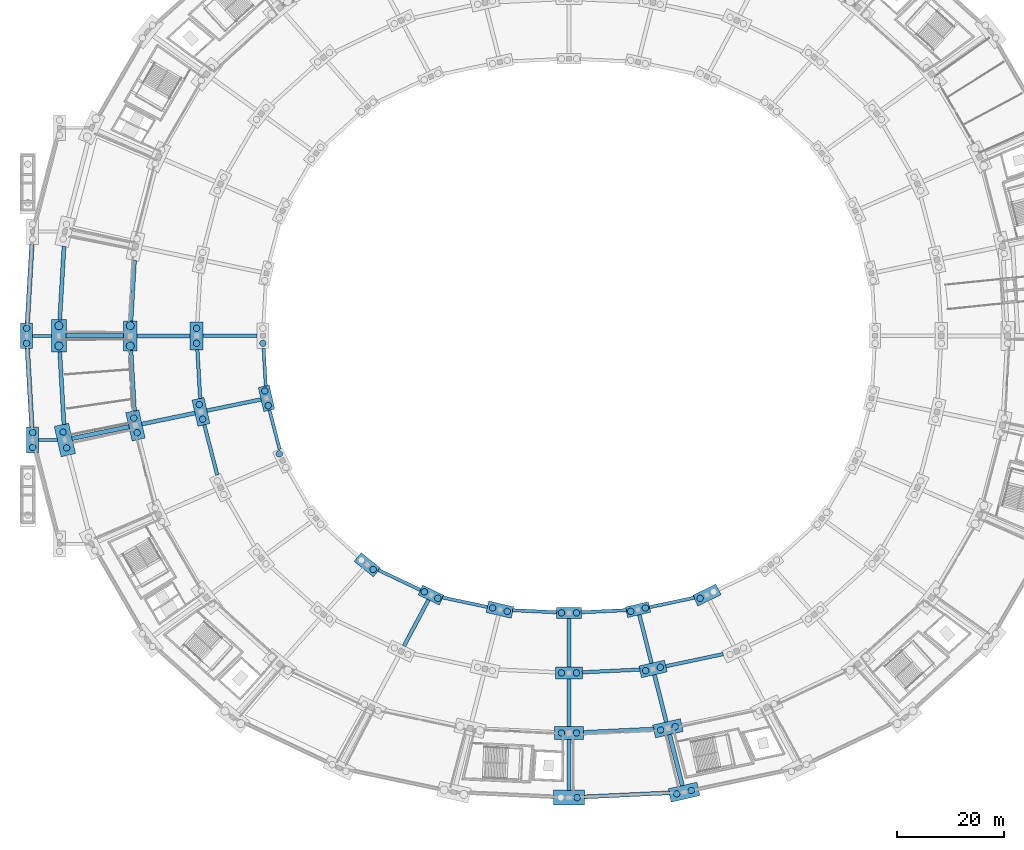
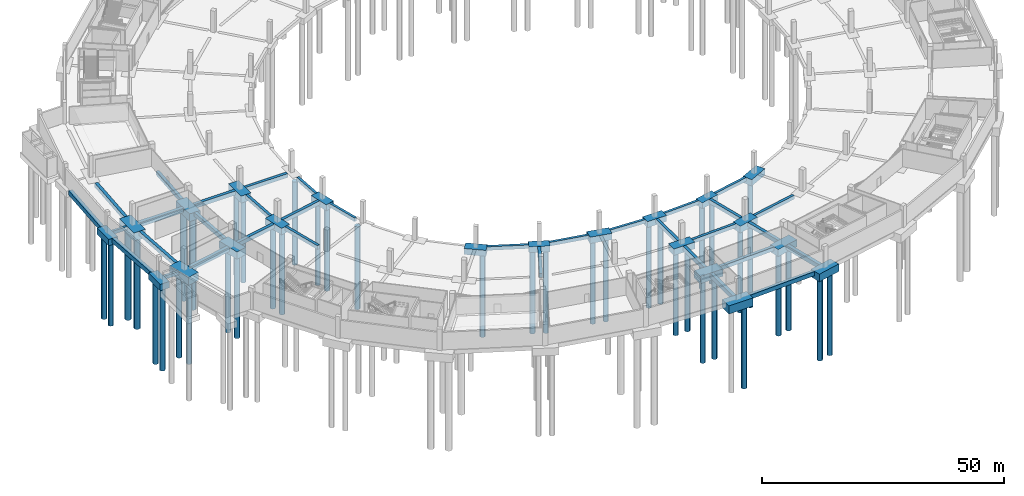
# One storey, part 2 of 49: 55 footings, 41 piles.
"""IFC4 building model written with IfcOpenShell, lengths in metres."""

from ifc_helpers import new_model, si_unit, direction, frame, origin, origin_2d, place, context, subcontext, project, spatial, rectangle, circle, extrude, material, material_profile, profile_set, type_object, element, save


model = new_model("IFC4")

# Units and contexts
model_context = context("Model", 3, precision=1e-05, world=origin(), true_north=direction((0.0, 1.0)))
body_context = subcontext(model_context, "Body", "Model", "MODEL_VIEW")
ifc_project = project(units=[si_unit("LENGTHUNIT", "METRE"), si_unit("AREAUNIT", "SQUARE_METRE"), si_unit("VOLUMEUNIT", "CUBIC_METRE"), si_unit("PLANEANGLEUNIT", "RADIAN"), si_unit("MASSUNIT", "GRAM", prefix="KILO")], contexts=[model_context])

# Site, building, storey
site_placement = place(None, origin())
site = spatial("IfcSite", under=ifc_project, at=site_placement, CompositionType="ELEMENT")
building_placement = place(site_placement, origin())
building = spatial("IfcBuilding", under=site, at=building_placement, Name="Kazemori Nagisa Stadium", CompositionType="ELEMENT")
storey_placement = place(building_placement, frame((0.0, 0.0, -5.43994140625)))
storey = spatial("IfcBuildingStorey", under=building, at=storey_placement, Name="B1", CompositionType="ELEMENT", Elevation=-5.43994140625)

# Footings
ifc_material_1 = material(Name="Concrete C40/50 (Fc42)", Category="concrete")
ifc_material_profile_1 = material_profile(ifc_material_1, rectangle(XDim=0.60009765625, YDim=0.89990234375, at=origin_2d()), Name="RC-FB-600x900")
ifc_profile_set_1 = profile_set([ifc_material_profile_1], Name="Concrete C40/50 (Fc42)")
footing_type_1 = type_object("IfcFootingType", Name="FootingBeam_FB-01", PredefinedType="FOOTING_BEAM", material=ifc_profile_set_1)
footing_1_placement = place(storey_placement, frame((66.13720703125, 99.6240234375, -0.449951171875), z_axis=(0.057599209845, -0.99833978736, 0.0), x_axis=(0.99833978736, 0.057599209845, 0.0)))
element("IfcFooting", 1, at=footing_1_placement, inside=storey, type_object=footing_type_1, Name="Footing tie beam FB-01 R0-15", PredefinedType="FOOTING_BEAM", context=body_context, shape_type="SweptSolid", body=[
    extrude(rectangle(XDim=0.60009765625, YDim=0.89990234375, at=origin_2d()), origin(), (0.0, 0.0, 1.0), 6.998046875),
])
footing_2_placement = place(storey_placement, frame((67.241455078125, 88.15380859375, -0.449951171875), z_axis=(0.249949583624, -0.968258852604, 0.0), x_axis=(0.968258852604, 0.249949583624, 0.0)))
element("IfcFooting", 2, at=footing_2_placement, inside=storey, type_object=footing_type_1, Name="Footing tie beam FB-01 R0-16", PredefinedType="FOOTING_BEAM", context=body_context, shape_type="SweptSolid", body=[
    extrude(rectangle(XDim=0.60009765625, YDim=0.89990234375, at=origin_2d()), origin(), (0.0, 0.0, 1.0), 7.53173828125),
])
footing_3_placement = place(storey_placement, frame((87.50048828125, 58.385986328125, -0.449951171875), z_axis=(0.903216511221, -0.429185197623, 0.0), x_axis=(0.429185197623, 0.903216511221, 0.0)))
element("IfcFooting", 3, at=footing_3_placement, inside=storey, type_object=footing_type_1, Name="Footing tie beam FB-01 R0-19", PredefinedType="FOOTING_BEAM", context=body_context, shape_type="SweptSolid", body=[
    extrude(rectangle(XDim=0.60009765625, YDim=0.89990234375, at=origin_2d()), origin(), (0.0, 0.0, 1.0), 8.6884765625),
])
footing_4_placement = place(storey_placement, frame((99.449951171875, 53.270263671875, -0.449951171875), z_axis=(0.978343587601, -0.206987498658, 0.0), x_axis=(0.206987498658, 0.978343587601, 0.0)))
element("IfcFooting", 4, at=footing_4_placement, inside=storey, type_object=footing_type_1, Name="Footing tie beam FB-01 R0-20", PredefinedType="FOOTING_BEAM", context=body_context, shape_type="SweptSolid", body=[
    extrude(rectangle(XDim=0.60009765625, YDim=0.89990234375, at=origin_2d()), origin(), (0.0, 0.0, 1.0), 8.550048828125),
])
footing_5_placement = place(storey_placement, frame((112.520751953125, 50.8955078125, -0.449951171875), z_axis=(0.998883289597, -0.047245886208, 0.0), x_axis=(0.047245886208, 0.998883289597, 0.0)))
element("IfcFooting", 5, at=footing_5_placement, inside=storey, type_object=footing_type_1, Name="Footing tie beam FB-01 R0-21", PredefinedType="FOOTING_BEAM", context=body_context, shape_type="SweptSolid", body=[
    extrude(rectangle(XDim=0.60009765625, YDim=0.89990234375, at=origin_2d()), origin(), (0.0, 0.0, 1.0), 8.211181640625),
])
footing_6_placement = place(storey_placement, frame((125.27734375, 50.507568359375, -0.449951171875), z_axis=(0.998882865372, 0.04725485441, 0.0), x_axis=(-0.04725485441, 0.998882865372, 0.0)))
element("IfcFooting", 6, at=footing_6_placement, inside=storey, type_object=footing_type_1, Name="Footing tie beam FB-01 R0-22", PredefinedType="FOOTING_BEAM", context=body_context, shape_type="SweptSolid", body=[
    extrude(rectangle(XDim=0.60009765625, YDim=0.89990234375, at=origin_2d()), origin(), (0.0, 0.0, 1.0), 8.410888671875),
])
footing_7_placement = place(storey_placement, frame((137.989501953125, 51.459228515625, -0.449951171875), z_axis=(0.978349369565, 0.206960167837, 0.0), x_axis=(-0.206960167837, 0.978349369565, 0.0)))
element("IfcFooting", 7, at=footing_7_placement, inside=storey, type_object=footing_type_1, Name="Footing tie beam FB-01 R0-23", PredefinedType="FOOTING_BEAM", context=body_context, shape_type="SweptSolid", body=[
    extrude(rectangle(XDim=0.60009765625, YDim=0.89990234375, at=origin_2d()), origin(), (0.0, 0.0, 1.0), 8.550048828125),
])
ifc_material_profile_2 = material_profile(ifc_material_1, rectangle(XDim=0.64990234375, YDim=0.949951171875, at=origin_2d()), Name="RC-FB-650x950")
ifc_profile_set_2 = profile_set([ifc_material_profile_2], Name="Concrete C40/50 (Fc42)")
footing_type_2 = type_object("IfcFootingType", Name="FootingBeam_FB-02", PredefinedType="FOOTING_BEAM", material=ifc_profile_set_2)
footing_8_placement = place(storey_placement, frame((53.798583984375, 99.42431640625, -0.47509765625), z_axis=(0.057611408687, -0.998339083473, 0.0), x_axis=(0.998339083473, 0.057611408687, 0.0)))
element("IfcFooting", 8, at=footing_8_placement, inside=storey, type_object=footing_type_2, Name="Footing tie beam FB-02 R1-15", PredefinedType="FOOTING_BEAM", context=body_context, shape_type="SweptSolid", body=[
    extrude(rectangle(XDim=0.64990234375, YDim=0.949951171875, at=origin_2d()), origin(), (0.0, 0.0, 1.0), 9.123779296875),
])
footing_9_placement = place(storey_placement, frame((55.0869140625, 85.4384765625, -0.47509765625), z_axis=(0.249964211951, -0.968255076281, 0.0), x_axis=(0.968255076281, 0.249964211951, 0.0)))
element("IfcFooting", 9, at=footing_9_placement, inside=storey, type_object=footing_type_2, Name="Footing tie beam FB-02 R1-16", PredefinedType="FOOTING_BEAM", context=body_context, shape_type="SweptSolid", body=[
    extrude(rectangle(XDim=0.64990234375, YDim=0.949951171875, at=origin_2d()), origin(), (0.0, 0.0, 1.0), 9.68017578125),
])
footing_10_placement = place(storey_placement, frame((125.477294921875, 39.337158203125, -0.47509765625), z_axis=(0.998884622942, 0.04721768789, 0.0), x_axis=(-0.04721768789, 0.998884622942, 0.0)))
element("IfcFooting", 10, at=footing_10_placement, inside=storey, type_object=footing_type_2, Name="Footing tie beam FB-02 R1-22", PredefinedType="FOOTING_BEAM", context=body_context, shape_type="SweptSolid", body=[
    extrude(rectangle(XDim=0.64990234375, YDim=0.949951171875, at=origin_2d()), origin(), (0.0, 0.0, 1.0), 10.74951171875),
])
footing_11_placement = place(storey_placement, frame((141.01953125, 40.462646484375, -0.47509765625), z_axis=(0.978347357041, 0.206969681284, 0.0), x_axis=(-0.206969681284, 0.978347357041, 0.0)))
element("IfcFooting", 11, at=footing_11_placement, inside=storey, type_object=footing_type_2, Name="Footing tie beam FB-02 R1-23", PredefinedType="FOOTING_BEAM", context=body_context, shape_type="SweptSolid", body=[
    extrude(rectangle(XDim=0.64990234375, YDim=0.949951171875, at=origin_2d()), origin(), (0.0, 0.0, 1.0), 10.940673828125),
])
ifc_material_profile_3 = material_profile(ifc_material_1, rectangle(XDim=0.699951171875, YDim=1.0, at=origin_2d()), Name="RC-FB-700x1000")
ifc_profile_set_3 = profile_set([ifc_material_profile_3], Name="Concrete C40/50 (Fc42)")
footing_type_3 = type_object("IfcFootingType", Name="FootingBeam_FB-03", PredefinedType="FOOTING_BEAM", material=ifc_profile_set_3)
footing_12_placement = place(storey_placement, frame((42.111083984375, 116.056396484375, -0.5), z_axis=(-0.057601090394, -0.99833967886, 0.0), x_axis=(0.99833967886, -0.057601090394, 0.0)))
element("IfcFooting", 12, at=footing_12_placement, inside=storey, type_object=footing_type_3, Name="Footing tie beam FB-03 R2-14", PredefinedType="FOOTING_BEAM", context=body_context, shape_type="SweptSolid", body=[
    extrude(rectangle(XDim=0.699951171875, YDim=1.0, at=origin_2d()), origin(), (0.0, 0.0, 1.0), 11.2998046875),
])
footing_13_placement = place(storey_placement, frame((41.460205078125, 99.224609375, -0.5), z_axis=(0.057597367024, -0.998339893679, 0.0), x_axis=(0.998339893679, 0.057597367024, 0.0)))
element("IfcFooting", 13, at=footing_13_placement, inside=storey, type_object=footing_type_3, Name="Footing tie beam FB-03 R2-15", PredefinedType="FOOTING_BEAM", context=body_context, shape_type="SweptSolid", body=[
    extrude(rectangle(XDim=0.699951171875, YDim=1.0, at=origin_2d()), origin(), (0.0, 0.0, 1.0), 11.24951171875),
])
footing_14_placement = place(storey_placement, frame((125.677001953125, 28.16650390625, -0.5), z_axis=(0.998883764762, 0.047235839085, 0.0), x_axis=(-0.047235839085, 0.998883764762, 0.0)))
element("IfcFooting", 14, at=footing_14_placement, inside=storey, type_object=footing_type_3, Name="Footing tie beam FB-03 R2-22", PredefinedType="FOOTING_BEAM", context=body_context, shape_type="SweptSolid", body=[
    extrude(rectangle(XDim=0.699951171875, YDim=1.0, at=origin_2d()), origin(), (0.0, 0.0, 1.0), 13.138427734375),
])
footing_15_placement = place(storey_placement, frame((64.919921875, 102.0, -0.5), z_axis=(-1.0, 0.0, 0.0), x_axis=(0.0, -1.0, 0.0)))
element("IfcFooting", 15, at=footing_15_placement, inside=storey, type_object=footing_type_3, Name="Footing tie beam FB-03 R0-R1-15", PredefinedType="FOOTING_BEAM", context=body_context, shape_type="SweptSolid", body=[
    extrude(rectangle(XDim=0.699951171875, YDim=1.0, at=origin_2d()), origin(), (0.0, 0.0, 1.0), 10.08984375),
])
footing_16_placement = place(storey_placement, frame((65.662841796875, 90.153076171875, -0.5), z_axis=(-0.979312106659, -0.202355621991, 0.0), x_axis=(0.202355621991, -0.979312106659, 0.0)))
element("IfcFooting", 16, at=footing_16_placement, inside=storey, type_object=footing_type_3, Name="Footing tie beam FB-03 R0-R1-16", PredefinedType="FOOTING_BEAM", context=body_context, shape_type="SweptSolid", body=[
    extrude(rectangle(XDim=0.699951171875, YDim=1.0, at=origin_2d()), origin(), (0.0, 0.0, 1.0), 10.30224609375),
])
footing_17_placement = place(storey_placement, frame((96.85693359375, 52.856201171875, -0.5), z_axis=(-0.469656101427, -0.882849447183, 0.0), x_axis=(0.882849447183, -0.469656101427, 0.0)))
element("IfcFooting", 17, at=footing_17_placement, inside=storey, type_object=footing_type_3, Name="Footing tie beam FB-03 R0-R1-20", PredefinedType="FOOTING_BEAM", context=body_context, shape_type="SweptSolid", body=[
    extrude(rectangle(XDim=0.699951171875, YDim=1.0, at=origin_2d()), origin(), (0.0, 0.0, 1.0), 9.763427734375),
])
footing_18_placement = place(storey_placement, frame((123.0, 49.3701171875, -0.5), z_axis=(0.0, -1.0, 0.0), x_axis=(1.0, 0.0, 0.0)))
element("IfcFooting", 18, at=footing_18_placement, inside=storey, type_object=footing_type_3, Name="Footing tie beam FB-03 R0-R1-22", PredefinedType="FOOTING_BEAM", context=body_context, shape_type="SweptSolid", body=[
    extrude(rectangle(XDim=0.699951171875, YDim=1.0, at=origin_2d()), origin(), (0.0, 0.0, 1.0), 9.02001953125),
])
footing_19_placement = place(storey_placement, frame((136.09619140625, 50.0576171875, -0.5), z_axis=(0.244478949019, -0.969654600096, 0.0), x_axis=(0.969654600096, 0.244478949019, 0.0)))
element("IfcFooting", 19, at=footing_19_placement, inside=storey, type_object=footing_type_3, Name="Footing tie beam FB-03 R0-R1-23", PredefinedType="FOOTING_BEAM", context=body_context, shape_type="SweptSolid", body=[
    extrude(rectangle(XDim=0.699951171875, YDim=1.0, at=origin_2d()), origin(), (0.0, 0.0, 1.0), 9.30908203125),
])
ifc_material_profile_4 = material_profile(ifc_material_1, rectangle(XDim=0.75, YDim=1.050048828125, at=origin_2d()), Name="RC-FB-750x1050")
ifc_profile_set_4 = profile_set([ifc_material_profile_4], Name="Concrete C40/50 (Fc42)")
footing_type_4 = type_object("IfcFootingType", Name="FootingBeam_FB-04", PredefinedType="FOOTING_BEAM", material=ifc_profile_set_4)
footing_20_placement = place(storey_placement, frame((28.9619140625, 118.672119140625, -0.525146484375), z_axis=(-0.057601651173, -0.998339646504, 0.0), x_axis=(0.998339646504, -0.057601651173, 0.0)))
element("IfcFooting", 20, at=footing_20_placement, inside=storey, type_object=footing_type_4, Name="Footing tie beam FB-04 R3-14", PredefinedType="FOOTING_BEAM", context=body_context, shape_type="SweptSolid", body=[
    extrude(rectangle(XDim=0.75, YDim=1.050048828125, at=origin_2d()), origin(), (0.0, 0.0, 1.0), 13.7197265625),
])
footing_21_placement = place(storey_placement, frame((28.171630859375, 99.02490234375, -0.525146484375), z_axis=(0.057608259635, -0.998339265191, 0.0), x_axis=(0.998339265191, 0.057608259635, 0.0)))
element("IfcFooting", 21, at=footing_21_placement, inside=storey, type_object=footing_type_4, Name="Footing tie beam FB-04 R3-15", PredefinedType="FOOTING_BEAM", context=body_context, shape_type="SweptSolid", body=[
    extrude(rectangle(XDim=0.75, YDim=1.050048828125, at=origin_2d()), origin(), (0.0, 0.0, 1.0), 13.56982421875),
])
footing_22_placement = place(storey_placement, frame((125.876708984375, 16.135986328125, -0.525146484375), z_axis=(0.998883773623, 0.047235651719, 0.0), x_axis=(-0.047235651719, 0.998883773623, 0.0)))
element("IfcFooting", 22, at=footing_22_placement, inside=storey, type_object=footing_type_4, Name="Footing tie beam FB-04 R3-22", PredefinedType="FOOTING_BEAM", context=body_context, shape_type="SweptSolid", body=[
    extrude(rectangle(XDim=0.75, YDim=1.050048828125, at=origin_2d()), origin(), (0.0, 0.0, 1.0), 15.841552734375),
])
footing_23_placement = place(storey_placement, frame((52.469970703125, 102.0, -0.525146484375), z_axis=(-1.0, 0.0, 0.0), x_axis=(0.0, -1.0, 0.0)))
element("IfcFooting", 23, at=footing_23_placement, inside=storey, type_object=footing_type_4, Name="Footing tie beam FB-04 R1-R2-15", PredefinedType="FOOTING_BEAM", context=body_context, shape_type="SweptSolid", body=[
    extrude(rectangle(XDim=0.75, YDim=1.050048828125, at=origin_2d()), origin(), (0.0, 0.0, 1.0), 9.889892578125),
])
footing_24_placement = place(storey_placement, frame((53.3603515625, 87.611083984375, -0.525146484375), z_axis=(-0.979313459298, -0.202349075703, 0.0), x_axis=(0.202349075703, -0.979313459298, 0.0)))
element("IfcFooting", 24, at=footing_24_placement, inside=storey, type_object=footing_type_4, Name="Footing tie beam FB-04 R1-R2-16", PredefinedType="FOOTING_BEAM", context=body_context, shape_type="SweptSolid", body=[
    extrude(rectangle(XDim=0.75, YDim=1.050048828125, at=origin_2d()), origin(), (0.0, 0.0, 1.0), 10.102294921875),
])
footing_25_placement = place(storey_placement, frame((123.0, 38.090087890625, -0.525146484375), z_axis=(0.0, -1.0, 0.0), x_axis=(1.0, 0.0, 0.0)))
element("IfcFooting", 25, at=footing_25_placement, inside=storey, type_object=footing_type_4, Name="Footing tie beam FB-04 R1-R2-22", PredefinedType="FOOTING_BEAM", context=body_context, shape_type="SweptSolid", body=[
    extrude(rectangle(XDim=0.75, YDim=1.050048828125, at=origin_2d()), origin(), (0.0, 0.0, 1.0), 8.820068359375),
])
footing_26_placement = place(storey_placement, frame((138.912353515625, 38.88818359375, -0.525146484375), z_axis=(0.244489161896, -0.969652025067, 0.0), x_axis=(0.969652025067, 0.244489161896, 0.0)))
element("IfcFooting", 26, at=footing_26_placement, inside=storey, type_object=footing_type_4, Name="Footing tie beam FB-04 R1-R2-23", PredefinedType="FOOTING_BEAM", context=body_context, shape_type="SweptSolid", body=[
    extrude(rectangle(XDim=0.75, YDim=1.050048828125, at=origin_2d()), origin(), (0.0, 0.0, 1.0), 9.083984375),
])
ifc_material_profile_5 = material_profile(ifc_material_1, rectangle(XDim=0.800048828125, YDim=1.10009765625, at=origin_2d()), Name="RC-FB-800x1100")
ifc_profile_set_5 = profile_set([ifc_material_profile_5], Name="Concrete C40/50 (Fc42)")
footing_type_5 = type_object("IfcFootingType", Name="FootingBeam_FB-05", PredefinedType="FOOTING_BEAM", material=ifc_profile_set_5)
footing_27_placement = place(storey_placement, frame((40.02001953125, 102.0, -0.550048828125), z_axis=(-1.0, 0.0, 0.0), x_axis=(0.0, -1.0, 0.0)))
element("IfcFooting", 27, at=footing_27_placement, inside=storey, type_object=footing_type_5, Name="Footing tie beam FB-05 R2-R3-15", PredefinedType="FOOTING_BEAM", context=body_context, shape_type="SweptSolid", body=[
    extrude(rectangle(XDim=0.800048828125, YDim=1.10009765625, at=origin_2d()), origin(), (0.0, 0.0, 1.0), 10.64013671875),
])
footing_28_placement = place(storey_placement, frame((41.057861328125, 85.069091796875, -0.550048828125), z_axis=(-0.979312950483, -0.20235153821, 0.0), x_axis=(0.20235153821, -0.979312950483, 0.0)))
element("IfcFooting", 28, at=footing_28_placement, inside=storey, type_object=footing_type_5, Name="Footing tie beam FB-05 R2-R3-16", PredefinedType="FOOTING_BEAM", context=body_context, shape_type="SweptSolid", body=[
    extrude(rectangle(XDim=0.800048828125, YDim=1.10009765625, at=origin_2d()), origin(), (0.0, 0.0, 1.0), 10.835693359375),
])
footing_29_placement = place(storey_placement, frame((123.0, 26.81005859375, -0.550048828125), z_axis=(0.0, -1.0, 0.0), x_axis=(1.0, 0.0, 0.0)))
element("IfcFooting", 29, at=footing_29_placement, inside=storey, type_object=footing_type_5, Name="Footing tie beam FB-05 R2-R3-22", PredefinedType="FOOTING_BEAM", context=body_context, shape_type="SweptSolid", body=[
    extrude(rectangle(XDim=0.800048828125, YDim=1.10009765625, at=origin_2d()), origin(), (0.0, 0.0, 1.0), 9.455078125),
])
footing_30_placement = place(storey_placement, frame((141.722412109375, 27.742919921875, -0.550048828125), z_axis=(0.244473267397, -0.969656032585, 0.0), x_axis=(0.969656032585, 0.244473267397, 0.0)))
element("IfcFooting", 30, at=footing_30_placement, inside=storey, type_object=footing_type_5, Name="Footing tie beam FB-05 R2-R3-23", PredefinedType="FOOTING_BEAM", context=body_context, shape_type="SweptSolid", body=[
    extrude(rectangle(XDim=0.800048828125, YDim=1.10009765625, at=origin_2d()), origin(), (0.0, 0.0, 1.0), 9.810546875),
])
ifc_material_profile_6 = material_profile(ifc_material_1, rectangle(XDim=0.550048828125, YDim=0.85009765625, at=origin_2d()), Name="RC-FB-550x850")
ifc_profile_set_6 = profile_set([ifc_material_profile_6], Name="Concrete C40/50 (Fc42)")
footing_type_6 = type_object("IfcFootingType", Name="FootingBeam_FB-06", PredefinedType="FOOTING_BEAM", material=ifc_profile_set_6)
footing_31_placement = place(storey_placement, frame((26.6201171875, 102.0, -0.425048828125), z_axis=(-1.0, 0.0, 0.0), x_axis=(0.0, -1.0, 0.0)))
element("IfcFooting", 31, at=footing_31_placement, inside=storey, type_object=footing_type_6, Name="Footing tie beam FB-06 R3-R4-15", PredefinedType="FOOTING_BEAM", context=body_context, shape_type="SweptSolid", body=[
    extrude(rectangle(XDim=0.550048828125, YDim=0.85009765625, at=origin_2d()), origin(), (0.0, 0.0, 1.0), 3.5400390625),
])
footing_32_placement = place(storey_placement, frame((27.76416015625, 82.602294921875, -0.425048828125), z_axis=(-1.0, 0.0, 0.0), x_axis=(0.0, -1.0, 0.0)))
element("IfcFooting", 32, at=footing_32_placement, inside=storey, type_object=footing_type_6, Name="Footing tie beam FB-06 R3-R4-16", PredefinedType="FOOTING_BEAM", context=body_context, shape_type="SweptSolid", body=[
    extrude(rectangle(XDim=0.550048828125, YDim=0.85009765625, at=origin_2d()), origin(), (0.0, 0.0, 1.0), 3.56494140625),
])
ifc_material_profile_7 = material_profile(ifc_material_1, rectangle(XDim=0.85009765625, YDim=1.14990234375, at=origin_2d()), Name="RC-FB-850x1150")
ifc_profile_set_7 = profile_set([ifc_material_profile_7], Name="Concrete C40/50 (Fc42)")
footing_type_7 = type_object("IfcFootingType", Name="FootingBeam_FB-07", PredefinedType="FOOTING_BEAM", material=ifc_profile_set_7)
for number, where, z_axis, x_axis, name in (
    (33, (22.982177734375, 119.021728515625, -0.574951171875), (-0.057598129985, -0.998339849662, 0.0), (0.998339849662, -0.057598129985, 0.0), "Footing tie beam FB-07 R4-14"),
    (34, (22.13720703125, 99.6240234375, -0.574951171875), (0.057598129985, -0.998339849662, 0.0), (0.998339849662, 0.057598129985, 0.0), "Footing tie beam FB-07 R4-15"),
):
    element("IfcFooting", number, at=place(storey_placement, frame(where, z_axis=z_axis, x_axis=x_axis)), inside=storey, type_object=footing_type_7, Name=name, PredefinedType="FOOTING_BEAM", context=body_context, shape_type="SweptSolid", body=[
        extrude(rectangle(XDim=0.85009765625, YDim=1.14990234375, at=origin_2d()), origin(), (0.0, 0.0, 1.0), 14.670166015625),
    ])
footing_type_8 = type_object("IfcFootingType", Name="PileCap_PC-01", PredefinedType="PILE_CAP", material=ifc_material_1)
for number, where, z_axis, x_axis, name in (
    (35, (66.671630859375, 90.361328125, -1.5), (0.0, 0.0, 1.0), (0.222520933954, -0.974927912182, 0.0), "Pile cap PC-01 R0-16"),
    (36, (85.441162109375, 59.364501953125, -1.5), (0.0, 0.0, 1.0), (0.781831482473, -0.623489801853, 0.0), "Pile cap PC-01 R0-19"),
    (37, (123.0, 50.39990234375, -1.5), (0.0, 0.0, 1.0), (1.0, 0.0, 0.0), "Pile cap PC-01 R0-22"),
):
    element("IfcFooting", number, at=place(storey_placement, frame(where, z_axis=z_axis, x_axis=x_axis)), inside=storey, type_object=footing_type_8, Name=name, PredefinedType="PILE_CAP", context=body_context, shape_type="SweptSolid", body=[
        extrude(rectangle(XDim=4.60009765625, YDim=2.10009765625, at=origin_2d()), origin(), (0.0, 0.0, 1.0), 1.5),
    ])
footing_type_9 = type_object("IfcFootingType", Name="PileCap_PC-02", PredefinedType="PILE_CAP", material=ifc_material_1)
for number, where, z_axis, x_axis, name in (
    (38, (110.143310546875, 51.0078125, -1.60009765625), (0.0, 0.0, 1.0), (0.974927912182, -0.222520933954, 0.0), "Pile cap PC-02 R0-21"),
    (39, (148.682861328125, 53.721435546875, -1.60009765625), (0.0, 0.0, 1.0), (0.900968867905, 0.433883739113, 0.0), "Pile cap PC-02 R0-24"),
    (40, (22.0, 102.0, -1.60009765625), (0.0, 0.0, 1.0), (0.0, 1.0, 0.0), "Pile cap PC-02 R4-15"),
    (41, (23.119140625, 82.602294921875, -1.60009765625), (0.0, 0.0, 1.0), (0.0, 1.0, 0.0), "Pile cap PC-02 R4-16"),
):
    element("IfcFooting", number, at=place(storey_placement, frame(where, z_axis=z_axis, x_axis=x_axis)), inside=storey, type_object=footing_type_9, Name=name, PredefinedType="PILE_CAP", context=body_context, shape_type="SweptSolid", body=[
        extrude(rectangle(XDim=4.800048828125, YDim=2.199951171875, at=origin_2d()), origin(), (0.0, 0.0, 1.0), 1.60009765625),
    ])
footing_type_10 = type_object("IfcFootingType", Name="PileCap_PC-03", PredefinedType="PILE_CAP", material=ifc_material_1)
for number, where, z_axis, x_axis, name in (
    (42, (54.467041015625, 87.839599609375, -1.64990234375), (0.0, 0.0, 1.0), (0.222520933954, -0.974927912182, 0.0), "Pile cap PC-03 R1-16"),
    (43, (123.0, 39.219970703125, -1.64990234375), (0.0, 0.0, 1.0), (1.0, 0.0, 0.0), "Pile cap PC-03 R1-22"),
):
    element("IfcFooting", number, at=place(storey_placement, frame(where, z_axis=z_axis, x_axis=x_axis)), inside=storey, type_object=footing_type_10, Name=name, PredefinedType="PILE_CAP", context=body_context, shape_type="SweptSolid", body=[
        extrude(rectangle(XDim=5.0, YDim=2.300048828125, at=origin_2d()), origin(), (0.0, 0.0, 1.0), 1.64990234375),
    ])
footing_type_11 = type_object("IfcFootingType", Name="PileCap_PC-04", PredefinedType="PILE_CAP", material=ifc_material_1)
footing_33_placement = place(storey_placement, frame((53.64990234375, 102.0, -1.75), z_axis=(0.0, 0.0, 1.0), x_axis=(0.0, -1.0, 0.0)))
element("IfcFooting", 44, at=footing_33_placement, inside=storey, type_object=footing_type_11, Name="Pile cap PC-04 R1-15", PredefinedType="PILE_CAP", context=body_context, shape_type="SweptSolid", body=[
    extrude(rectangle(XDim=5.199951171875, YDim=2.39990234375, at=origin_2d()), origin(), (0.0, 0.0, 1.0), 1.75),
])
footing_type_12 = type_object("IfcFootingType", Name="PileCap_PC-05", PredefinedType="PILE_CAP", material=ifc_material_1)
for number, where, z_axis, x_axis, name in (
    (45, (42.262451171875, 85.31787109375, -1.85009765625), (0.0, 0.0, 1.0), (0.222520933954, -0.974927912182, 0.0), "Pile cap PC-05 R2-16"),
    (46, (123.0, 28.0400390625, -1.85009765625), (0.0, 0.0, 1.0), (1.0, 0.0, 0.0), "Pile cap PC-05 R2-22"),
):
    element("IfcFooting", number, at=place(storey_placement, frame(where, z_axis=z_axis, x_axis=x_axis)), inside=storey, type_object=footing_type_12, Name=name, PredefinedType="PILE_CAP", context=body_context, shape_type="SweptSolid", body=[
        extrude(rectangle(XDim=5.39990234375, YDim=2.5, at=origin_2d()), origin(), (0.0, 0.0, 1.0), 1.85009765625),
    ])
footing_type_13 = type_object("IfcFootingType", Name="PileCap_PC-06", PredefinedType="PILE_CAP", material=ifc_material_1)
footing_34_placement = place(storey_placement, frame((41.300048828125, 102.0, -1.9501953125), z_axis=(0.0, 0.0, 1.0), x_axis=(0.0, -1.0, 0.0)))
element("IfcFooting", 47, at=footing_34_placement, inside=storey, type_object=footing_type_13, Name="Pile cap PC-06 R2-15", PredefinedType="PILE_CAP", context=body_context, shape_type="SweptSolid", body=[
    extrude(rectangle(XDim=5.60009765625, YDim=2.60009765625, at=origin_2d()), origin(), (0.0, 0.0, 1.0), 1.949951171875),
])
footing_type_14 = type_object("IfcFootingType", Name="PileCap_PC-07", PredefinedType="PILE_CAP", material=ifc_material_1)
for number, where, z_axis, x_axis, name in (
    (48, (29.119140625, 82.602294921875, -2.05029296875), (0.0, 0.0, 1.0), (0.222520933954, -0.974927912182, 0.0), "Pile cap PC-07 R3-16"),
    (49, (123.0, 16.0, -2.05029296875), (0.0, 0.0, 1.0), (1.0, 0.0, 0.0), "Pile cap PC-07 R3-22"),
):
    element("IfcFooting", number, at=place(storey_placement, frame(where, z_axis=z_axis, x_axis=x_axis)), inside=storey, type_object=footing_type_14, Name=name, PredefinedType="PILE_CAP", context=body_context, shape_type="SweptSolid", body=[
        extrude(rectangle(XDim=5.800048828125, YDim=2.75, at=origin_2d()), origin(), (0.0, 0.0, 1.0), 2.050048828125),
    ])
footing_type_15 = type_object("IfcFootingType", Name="PileCap_PC-08", PredefinedType="PILE_CAP", material=ifc_material_1)
for number, where, z_axis, x_axis, name in (
    (50, (97.317138671875, 53.721435546875, -1.4501953125), (0.0, 0.0, 1.0), (0.900968867905, -0.433883739113, 0.0), "Pile cap PC-08 R0-20"),
    (51, (135.856689453125, 51.0078125, -1.4501953125), (0.0, 0.0, 1.0), (0.974927912182, 0.222520933954, 0.0), "Pile cap PC-08 R0-23"),
):
    element("IfcFooting", number, at=place(storey_placement, frame(where, z_axis=z_axis, x_axis=x_axis)), inside=storey, type_object=footing_type_15, Name=name, PredefinedType="PILE_CAP", context=body_context, shape_type="SweptSolid", body=[
        extrude(rectangle(XDim=4.39990234375, YDim=2.0, at=origin_2d()), origin(), (0.0, 0.0, 1.0), 1.449951171875),
    ])
footing_type_16 = type_object("IfcFootingType", Name="PileCap_PC-09", PredefinedType="PILE_CAP", material=ifc_material_1)
footing_35_placement = place(storey_placement, frame((138.64208984375, 39.959716796875, -1.7001953125), z_axis=(0.0, 0.0, 1.0), x_axis=(0.974927912182, 0.222520933954, 0.0)))
element("IfcFooting", 52, at=footing_35_placement, inside=storey, type_object=footing_type_16, Name="Pile cap PC-09 R1-23", PredefinedType="PILE_CAP", context=body_context, shape_type="SweptSolid", body=[
    extrude(rectangle(XDim=4.89990234375, YDim=2.25, at=origin_2d()), origin(), (0.0, 0.0, 1.0), 1.699951171875),
])
footing_type_17 = type_object("IfcFootingType", Name="PileCap_PC-10", PredefinedType="PILE_CAP", material=ifc_material_1)
footing_36_placement = place(storey_placement, frame((141.427734375, 28.911376953125, -1.80029296875), z_axis=(0.0, 0.0, 1.0), x_axis=(0.974927912182, 0.222520933954, 0.0)))
element("IfcFooting", 53, at=footing_36_placement, inside=storey, type_object=footing_type_17, Name="Pile cap PC-10 R2-23", PredefinedType="PILE_CAP", context=body_context, shape_type="SweptSolid", body=[
    extrude(rectangle(XDim=5.300048828125, YDim=2.449951171875, at=origin_2d()), origin(), (0.0, 0.0, 1.0), 1.800048828125),
])
footing_type_18 = type_object("IfcFootingType", Name="PileCap_PC-11", PredefinedType="PILE_CAP", material=ifc_material_1)
footing_37_placement = place(storey_placement, frame((144.427734375, 17.01318359375, -1.89990234375), z_axis=(0.0, 0.0, 1.0), x_axis=(0.974927912182, 0.222520933954, 0.0)))
element("IfcFooting", 54, at=footing_37_placement, inside=storey, type_object=footing_type_18, Name="Pile cap PC-11 R3-23", PredefinedType="PILE_CAP", context=body_context, shape_type="SweptSolid", body=[
    extrude(rectangle(XDim=5.5, YDim=2.550048828125, at=origin_2d()), origin(), (0.0, 0.0, 1.0), 1.89990234375),
])
footing_type_19 = type_object("IfcFootingType", Name="PileCap_PC-12", PredefinedType="PILE_CAP", material=ifc_material_1)
footing_38_placement = place(storey_placement, frame((28.0, 102.0, -2.10009765625), z_axis=(0.0, 0.0, 1.0), x_axis=(0.0, -1.0, 0.0)))
element("IfcFooting", 55, at=footing_38_placement, inside=storey, type_object=footing_type_19, Name="Pile cap PC-12 R3-15", PredefinedType="PILE_CAP", context=body_context, shape_type="SweptSolid", body=[
    extrude(rectangle(XDim=6.0, YDim=2.800048828125, at=origin_2d()), origin(), (0.0, 0.0, 1.0), 2.10009765625),
])

# Piles
ifc_material_2 = material(Name="Concrete C36/45 (Fc36)", Category="concrete")
ifc_material_profile_8 = material_profile(ifc_material_2, circle(Radius=0.60009765625, at=origin_2d()), Name="PILE-D1200")
ifc_profile_set_8 = profile_set([ifc_material_profile_8], Name="Concrete C36/45 (Fc36)")
pile_type_1 = type_object("IfcPileType", Name="Pile_PL-1200", PredefinedType="BORED", material=ifc_profile_set_8)
for number, where, z_axis, x_axis, name in (
    (56, (66.0, 100.60009765625, -1.5), (0.0, 0.0, -1.0), (1.0, 0.0, 0.0), "Bored pile PL-1200 R0-15-2"),
    (57, (66.360107421875, 91.726318359375, -1.400146484375), (0.0, 0.0, -1.0), (1.0, 0.0, 0.0), "Bored pile PL-1200 R0-16-1"),
    (58, (66.983154296875, 88.99658203125, -1.400146484375), (0.0, 0.0, -1.0), (1.0, 0.0, 0.0), "Bored pile PL-1200 R0-16-2"),
    (59, (69.0615234375, 80.01171875, -1.35009765625), (0.0, 0.0, -1.0), (1.0, 0.0, 0.0), "Bored pile PL-1200 R0-17-1"),
    (60, (86.535888671875, 58.49169921875, -1.400146484375), (0.0, 0.0, -1.0), (1.0, 0.0, 0.0), "Bored pile PL-1200 R0-19-2"),
    (61, (96.055908203125, 54.328857421875, -1.35009765625), (0.0, 0.0, -1.0), (1.0, 0.0, 0.0), "Bored pile PL-1200 R0-20-1"),
    (62, (98.57861328125, 53.114013671875, -1.35009765625), (0.0, 0.0, -1.0), (1.0, 0.0, 0.0), "Bored pile PL-1200 R0-20-2"),
    (63, (108.778564453125, 51.3193359375, -1.5), (0.0, 0.0, -1.0), (1.0, 0.0, 0.0), "Bored pile PL-1200 R0-21-1"),
    (64, (111.50830078125, 50.6962890625, -1.5), (0.0, 0.0, -1.0), (1.0, 0.0, 0.0), "Bored pile PL-1200 R0-21-2"),
    (65, (121.60009765625, 50.39990234375, -1.400146484375), (0.0, 0.0, -1.0), (1.0, 0.0, 0.0), "Bored pile PL-1200 R0-22-1"),
    (66, (124.39990234375, 50.39990234375, -1.400146484375), (0.0, 0.0, -1.0), (1.0, 0.0, 0.0), "Bored pile PL-1200 R0-22-2"),
    (67, (134.49169921875, 50.6962890625, -1.35009765625), (0.0, 0.0, -1.0), (1.0, 0.0, 0.0), "Bored pile PL-1200 R0-23-1"),
    (68, (137.221435546875, 51.3193359375, -1.35009765625), (0.0, 0.0, -1.0), (1.0, 0.0, 0.0), "Bored pile PL-1200 R0-23-2"),
    (69, (147.42138671875, 53.114013671875, -1.5), (0.0, 0.0, -1.0), (1.0, 0.0, 0.0), "Bored pile PL-1200 R0-24-1"),
    (70, (53.64990234375, 103.39990234375, -1.650146484375), (0.0, 0.0, -1.0), (1.0, 0.0, 0.0), "Bored pile PL-1200 R1-15-1"),
    (71, (53.64990234375, 100.60009765625, -1.650146484375), (0.0, 0.0, -1.0), (1.0, 0.0, 0.0), "Bored pile PL-1200 R1-15-2"),
    (72, (54.155517578125, 89.20458984375, -1.550048828125), (0.0, 0.0, -1.0), (1.0, 0.0, 0.0), "Bored pile PL-1200 R1-16-1"),
    (73, (54.778564453125, 86.474853515625, -1.550048828125), (0.0, 0.0, -1.0), (1.0, 0.0, 0.0), "Bored pile PL-1200 R1-16-2"),
    (74, (121.60009765625, 39.219970703125, -1.550048828125), (0.0, 0.0, -1.0), (1.0, 0.0, 0.0), "Bored pile PL-1200 R1-22-1"),
    (75, (124.39990234375, 39.219970703125, -1.550048828125), (0.0, 0.0, -1.0), (1.0, 0.0, 0.0), "Bored pile PL-1200 R1-22-2"),
    (76, (137.27734375, 39.648193359375, -1.60009765625), (0.0, 0.0, -1.0), (1.0, 0.0, 0.0), "Bored pile PL-1200 R1-23-1"),
    (77, (140.007080078125, 40.271240234375, -1.60009765625), (0.0, 0.0, -1.0), (1.0, 0.0, 0.0), "Bored pile PL-1200 R1-23-2"),
    (78, (41.950927734375, 86.682861328125, -1.75), (0.0, 0.0, -1.0), (1.0, 0.0, 0.0), "Bored pile PL-1200 R2-16-1"),
    (79, (42.573974609375, 83.953125, -1.75), (0.0, 0.0, -1.0), (1.0, 0.0, 0.0), "Bored pile PL-1200 R2-16-2"),
    (80, (121.60009765625, 28.0400390625, -1.75), (0.0, 0.0, -1.0), (1.0, 0.0, 0.0), "Bored pile PL-1200 R2-22-1"),
    (81, (124.39990234375, 28.0400390625, -1.75), (0.0, 0.0, -1.0), (1.0, 0.0, 0.0), "Bored pile PL-1200 R2-22-2"),
    (82, (140.06298828125, 28.599853515625, -1.699951171875), (0.0, 0.0, -1.0), (1.0, 0.0, 0.0), "Bored pile PL-1200 R2-23-1"),
    (83, (142.792724609375, 29.222900390625, -1.699951171875), (0.0, 0.0, -1.0), (1.0, 0.0, 0.0), "Bored pile PL-1200 R2-23-2"),
    (84, (28.781005859375, 84.084228515625, -1.949951171875), (0.0, 0.0, -1.0), (1.0, 0.0, 0.0), "Bored pile PL-1200 R3-16-1"),
    (85, (29.45751953125, 81.120361328125, -1.949951171875), (0.0, 0.0, -1.0), (1.0, 0.0, 0.0), "Bored pile PL-1200 R3-16-2"),
    (86, (124.52001953125, 16.0, -1.949951171875), (0.0, 0.0, -1.0), (1.0, 0.0, 0.0), "Bored pile PL-1200 R3-22-2"),
    (87, (143.062744140625, 16.70166015625, -1.800048828125), (0.0, 0.0, -1.0), (1.0, 0.0, 0.0), "Bored pile PL-1200 R3-23-1"),
    (88, (145.79248046875, 17.32470703125, -1.800048828125), (0.0, 0.0, -1.0), (1.0, 0.0, 0.0), "Bored pile PL-1200 R3-23-2"),
    (89, (22.0, 100.60009765625, -1.5), (0.0, 0.0, -1.0), (1.0, 0.0, 0.0), "Bored pile PL-1200 R4-15-1"),
    (90, (22.0, 103.39990234375, -1.5), (0.0, 0.0, -1.0), (1.0, 0.0, 0.0), "Bored pile PL-1200 R4-15-2"),
    (91, (23.119140625, 81.202392578125, -1.5), (0.0, 0.0, -1.0), (1.0, 0.0, 0.0), "Bored pile PL-1200 R4-16-1"),
    (92, (23.119140625, 84.002197265625, -1.5), (0.0, 0.0, -1.0), (1.0, 0.0, 0.0), "Bored pile PL-1200 R4-16-2"),
):
    element("IfcPile", number, at=place(storey_placement, frame(where, z_axis=z_axis, x_axis=x_axis)), inside=storey, type_object=pile_type_1, Name=name, PredefinedType="BORED", context=body_context, shape_type="SweptSolid", body=[
        extrude(circle(Radius=0.60009765625, at=origin_2d()), origin(), (0.0, 0.0, 1.0), 21.0),
    ])
ifc_material_profile_9 = material_profile(ifc_material_2, circle(Radius=0.75, at=origin_2d()), Name="PILE-D1500")
ifc_profile_set_9 = profile_set([ifc_material_profile_9], Name="Concrete C36/45 (Fc36)")
pile_type_2 = type_object("IfcPileType", Name="Pile_PL-1500", PredefinedType="BORED", material=ifc_profile_set_9)
for number, where, z_axis, x_axis, name in (
    (93, (41.300048828125, 103.8798828125, -1.85009765625), (0.0, 0.0, -1.0), (1.0, 0.0, 0.0), "Bored pile PL-1500 R2-15-1"),
    (94, (41.300048828125, 100.1201171875, -1.85009765625), (0.0, 0.0, -1.0), (1.0, 0.0, 0.0), "Bored pile PL-1500 R2-15-2"),
    (95, (28.0, 103.8798828125, -2.0), (0.0, 0.0, -1.0), (1.0, 0.0, 0.0), "Bored pile PL-1500 R3-15-1"),
    (96, (28.0, 100.1201171875, -2.0), (0.0, 0.0, -1.0), (1.0, 0.0, 0.0), "Bored pile PL-1500 R3-15-2"),
):
    element("IfcPile", number, at=place(storey_placement, frame(where, z_axis=z_axis, x_axis=x_axis)), inside=storey, type_object=pile_type_2, Name=name, PredefinedType="BORED", context=body_context, shape_type="SweptSolid", body=[
        extrude(circle(Radius=0.75, at=origin_2d()), origin(), (0.0, 0.0, 1.0), 23.0),
    ])

save(model, "model.ifc")
